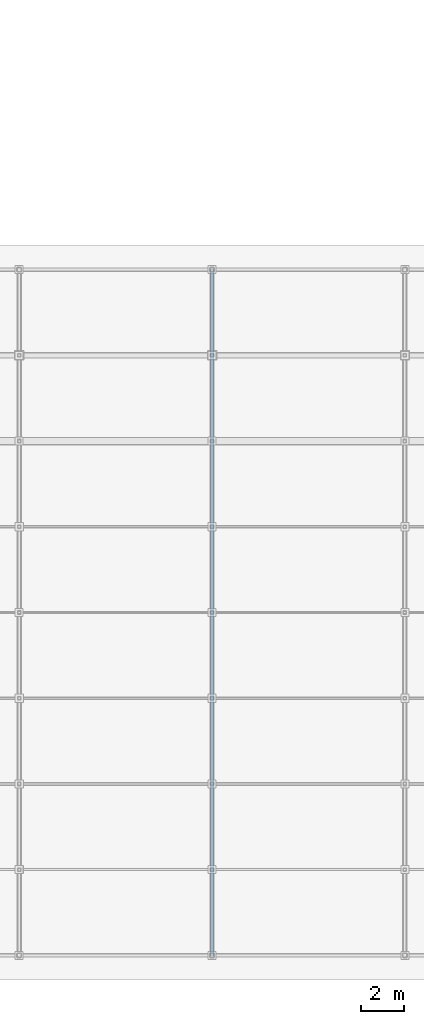
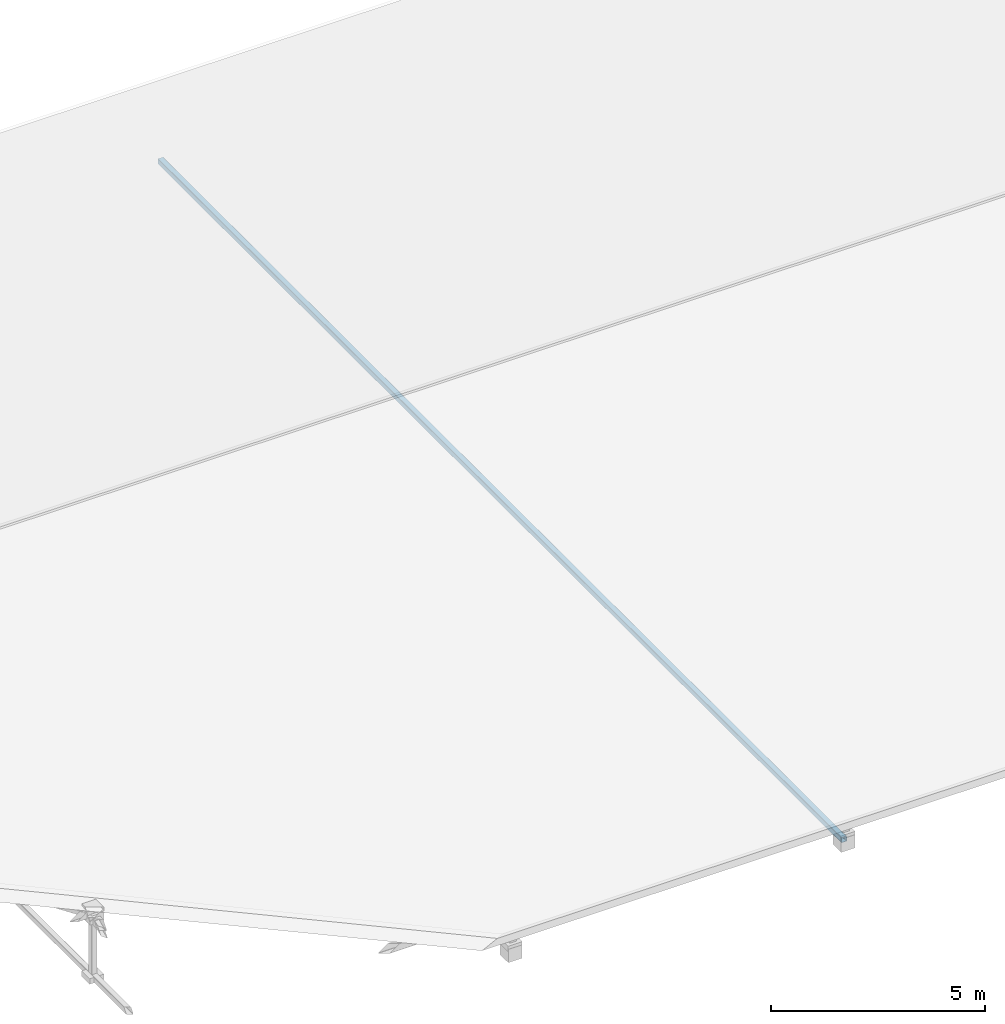
# One storey, part 16 of 118: 1 beam.
"""IFC4 building model written with IfcOpenShell, lengths in metres."""

from ifc_helpers import new_model, si_unit, direction, frame, origin, origin_2d, place, context, subcontext, project, spatial, hollow_rectangle, extrude, material, material_profile, profile_set, type_object, element, save


model = new_model("IFC4")

# Units and contexts
model_context = context("Model", 3, precision=1e-05, world=origin(), true_north=direction((0.0, 1.0)))
body_context = subcontext(model_context, "Body", "Model", "MODEL_VIEW")
ifc_project = project(units=[si_unit("LENGTHUNIT", "METRE"), si_unit("AREAUNIT", "SQUARE_METRE"), si_unit("VOLUMEUNIT", "CUBIC_METRE"), si_unit("PLANEANGLEUNIT", "RADIAN"), si_unit("MASSUNIT", "GRAM", prefix="KILO"), si_unit("THERMODYNAMICTEMPERATUREUNIT", "KELVIN"), si_unit("POWERUNIT", "WATT")], contexts=[model_context])

# Site, building, storey
site_placement = place(None, origin())
site = spatial("IfcSite", under=ifc_project, at=site_placement, CompositionType="ELEMENT")
building_placement = place(site_placement, origin())
building = spatial("IfcBuilding", under=site, at=building_placement, Name="Zelmaris Science Centre", CompositionType="ELEMENT")
storey_placement = place(building_placement, frame((0.0, 0.0, 15.60009765625)))
storey = spatial("IfcBuildingStorey", under=building, at=storey_placement, Name="L03", CompositionType="ELEMENT", Elevation=15.60009765625)

# Beam
ifc_material = material(Name="Steel ASTM A500 Grade C", Category="steel")
ifc_material_profile = material_profile(ifc_material, hollow_rectangle(XDim=0.15234375, YDim=0.15234375, WallThickness=0.0087890625, InnerFilletRadius=0.0087890625, OuterFilletRadius=0.017822265625, at=origin_2d()), Name="HSS152X152X10")
ifc_profile_set = profile_set([ifc_material_profile], Name="Steel ASTM A500 Grade C")
beam_type = type_object("IfcBeamType", Name="Beam G-21 HSS152X152X10", PredefinedType="BEAM", material=ifc_profile_set)
beam_placement = place(storey_placement, frame((36.0, 8.0, -0.1044921875), z_axis=(0.0, 1.0, 0.0), x_axis=(-1.0, 0.0, 0.0)))
element("IfcBeam", 1, at=beam_placement, inside=storey, type_object=beam_type, Name="RF-V3 Roof truss 4 bottom chord", PredefinedType="BEAM", context=body_context, shape_type="SweptSolid", body=[
    extrude(hollow_rectangle(XDim=0.15234375, YDim=0.15234375, WallThickness=0.0087890625, InnerFilletRadius=0.0087890625, OuterFilletRadius=0.017822265625, at=origin_2d()), origin(), (0.0, 0.0, 1.0), 32.0),
])

save(model, "model.ifc")
